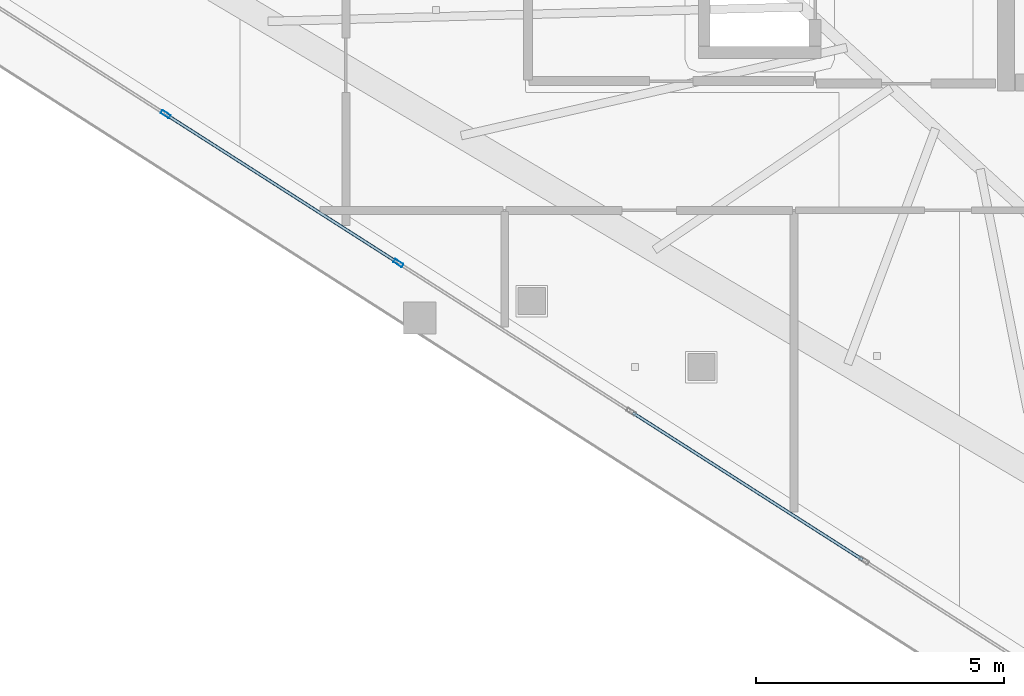
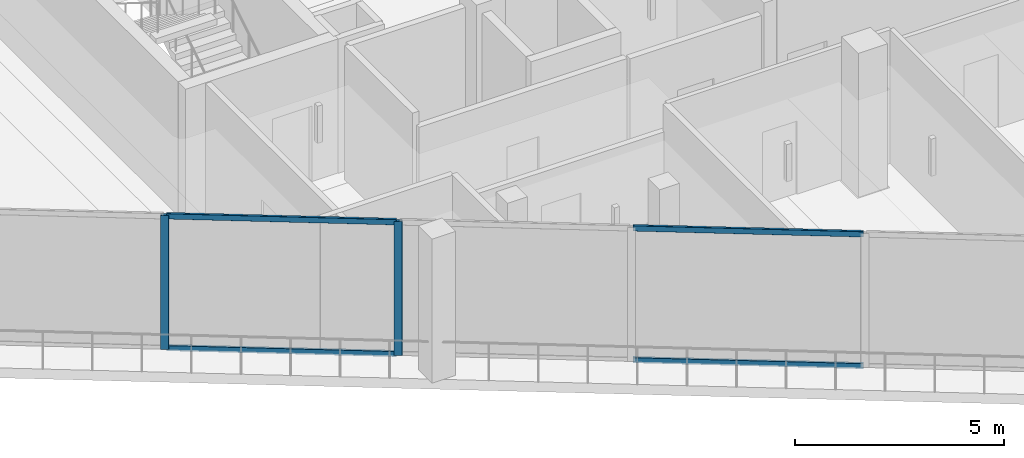
# One storey, part 2 of 36: 6 members, 1 element without a shape of its own.
"""IFC4 building model written with IfcOpenShell, lengths in metres."""

from ifc_helpers import new_model, si_unit, direction, frame, origin, origin_2d, place, context, subcontext, project, spatial, hollow_rectangle, extrude, material, layer, layer_set, material_profile, profile_set, type_object, element, aggregate, save


model = new_model("IFC4")

# Units and contexts
model_context = context("Model", 3, precision=1e-05, world=origin(), true_north=direction((0.0, 1.0)))
body_context = subcontext(model_context, "Body", "Model", "MODEL_VIEW")
ifc_project = project(units=[si_unit("LENGTHUNIT", "METRE"), si_unit("AREAUNIT", "SQUARE_METRE"), si_unit("VOLUMEUNIT", "CUBIC_METRE"), si_unit("PLANEANGLEUNIT", "RADIAN"), si_unit("MASSUNIT", "GRAM", prefix="KILO")], contexts=[model_context])

# Site, building, storey
site_placement = place(None, origin())
site = spatial("IfcSite", under=ifc_project, at=site_placement, CompositionType="ELEMENT")
building_placement = place(site_placement, origin())
building = spatial("IfcBuilding", under=site, at=building_placement, Name="Qorvath Tower", CompositionType="ELEMENT")
storey_placement = place(building_placement, frame((0.0, 0.0, 272.39990234375)))
storey = spatial("IfcBuildingStorey", under=building, at=storey_placement, Name="L63", CompositionType="ELEMENT", Elevation=272.39990234375)

# Curtain wall, members
ifc_material_1 = material(Name="Anodised aluminium and triple low-E glass", Category="aluminium")
ifc_layer = layer(ifc_material_1, 0.179931640625)
ifc_layer_set = layer_set([ifc_layer], Name="CW-SYS-4")
curtain_wall_type = type_object("IfcCurtainWallType", Name="CW-SYS-4", PredefinedType="NOTDEFINED", material=ifc_layer_set)
curtain_wall_placement = place(storey_placement, origin())
curtain_wall = element("IfcCurtainWall", 1, at=curtain_wall_placement, inside=storey, type_object=curtain_wall_type, Name="Curtain Wall CW-4 CW-T-L63-2.1", PredefinedType="NOTDEFINED")
ifc_material_2 = material(Name="Anodised aluminium 6063-T6", Category="aluminium")
ifc_material_profile_1 = material_profile(ifc_material_2, hollow_rectangle(XDim=0.074951171875, YDim=0.199951171875, WallThickness=0.00390625, InnerFilletRadius=0.00390625, OuterFilletRadius=0.008056640625, at=origin_2d()), Name="CWM 200x75")
ifc_profile_set_1 = profile_set([ifc_material_profile_1], Name="Anodised aluminium 6063-T6")
member_type_1 = type_object("IfcMemberType", Name="CWM-200", PredefinedType="MULLION", material=ifc_profile_set_1)
member_1_placement = place(storey_placement, frame((-41.5, -9.017822265625, 0.0), z_axis=(0.0, 0.0, 1.0), x_axis=(0.538533509281, 0.842604094093, 0.0)))
member_1 = element("IfcMember", 2, at=member_1_placement, type_object=member_type_1, Name="CW-4 mullion 3", PredefinedType="MULLION", context=body_context, shape_type="SweptSolid", body=[
    extrude(hollow_rectangle(XDim=0.074951171875, YDim=0.199951171875, WallThickness=0.00390625, InnerFilletRadius=0.00390625, OuterFilletRadius=0.008056640625, at=origin_2d()), origin(), (0.0, 0.0, 1.0), 3.91015625),
])
member_2_placement = place(storey_placement, frame((-36.796630859375, -12.023681640625, 0.0), z_axis=(0.0, 0.0, 1.0), x_axis=(0.538533509281, 0.842604094093, 0.0)))
member_2 = element("IfcMember", 3, at=member_2_placement, type_object=member_type_1, Name="CW-4 mullion 4", PredefinedType="MULLION", context=body_context, shape_type="SweptSolid", body=[
    extrude(hollow_rectangle(XDim=0.074951171875, YDim=0.199951171875, WallThickness=0.00390625, InnerFilletRadius=0.00390625, OuterFilletRadius=0.008056640625, at=origin_2d()), origin(), (0.0, 0.0, 1.0), 3.91015625),
])
ifc_material_3 = material(Name="Anodised aluminium 6063-T6", Category="aluminium")
ifc_material_profile_2 = material_profile(ifc_material_3, hollow_rectangle(XDim=0.06494140625, YDim=0.159912109375, WallThickness=0.00341796875, InnerFilletRadius=0.00341796875, OuterFilletRadius=0.007080078125, at=origin_2d()), Name="CWT 160x65")
ifc_profile_set_2 = profile_set([ifc_material_profile_2], Name="Anodised aluminium 6063-T6")
member_type_2 = type_object("IfcMemberType", Name="CWT-160", PredefinedType="USERDEFINED", material=ifc_profile_set_2)
member_3_placement = place(storey_placement, frame((-41.46826171875, -9.037841796875, 0.032470703125), z_axis=(0.842597346925, -0.538544065935, 0.0), x_axis=(0.538544065935, 0.842597346925, 0.0)))
member_3 = element("IfcMember", 4, at=member_3_placement, type_object=member_type_2, Name="CW-4 transom 3.1", ObjectType="TRANSOM", PredefinedType="USERDEFINED", context=body_context, shape_type="SweptSolid", body=[
    extrude(hollow_rectangle(XDim=0.06494140625, YDim=0.159912109375, WallThickness=0.00341796875, InnerFilletRadius=0.00341796875, OuterFilletRadius=0.007080078125, at=origin_2d()), origin(), (0.0, 0.0, 1.0), 5.506591796875),
])
member_4_placement = place(storey_placement, frame((-41.46826171875, -9.037841796875, 3.877685546875), z_axis=(0.842597346925, -0.538544065935, 0.0), x_axis=(0.538544065935, 0.842597346925, 0.0)))
member_4 = element("IfcMember", 5, at=member_4_placement, type_object=member_type_2, Name="CW-4 transom 3.2", ObjectType="TRANSOM", PredefinedType="USERDEFINED", context=body_context, shape_type="SweptSolid", body=[
    extrude(hollow_rectangle(XDim=0.06494140625, YDim=0.159912109375, WallThickness=0.00341796875, InnerFilletRadius=0.00341796875, OuterFilletRadius=0.007080078125, at=origin_2d()), origin(), (0.0, 0.0, 1.0), 5.506591796875),
])
member_5_placement = place(storey_placement, frame((-32.06201171875, -15.0498046875, 0.032470703125), z_axis=(0.842597346925, -0.538544065935, 0.0), x_axis=(0.538544065935, 0.842597346925, 0.0)))
member_5 = element("IfcMember", 6, at=member_5_placement, type_object=member_type_2, Name="CW-4 transom 5.1", ObjectType="TRANSOM", PredefinedType="USERDEFINED", context=body_context, shape_type="SweptSolid", body=[
    extrude(hollow_rectangle(XDim=0.06494140625, YDim=0.159912109375, WallThickness=0.00341796875, InnerFilletRadius=0.00341796875, OuterFilletRadius=0.007080078125, at=origin_2d()), origin(), (0.0, 0.0, 1.0), 5.506591796875),
])
member_6_placement = place(storey_placement, frame((-32.06201171875, -15.0498046875, 3.877685546875), z_axis=(0.842597346925, -0.538544065935, 0.0), x_axis=(0.538544065935, 0.842597346925, 0.0)))
member_6 = element("IfcMember", 7, at=member_6_placement, type_object=member_type_2, Name="CW-4 transom 5.2", ObjectType="TRANSOM", PredefinedType="USERDEFINED", context=body_context, shape_type="SweptSolid", body=[
    extrude(hollow_rectangle(XDim=0.06494140625, YDim=0.159912109375, WallThickness=0.00341796875, InnerFilletRadius=0.00341796875, OuterFilletRadius=0.007080078125, at=origin_2d()), origin(), (0.0, 0.0, 1.0), 5.506591796875),
])
aggregate(curtain_wall, [member_1, member_2, member_3, member_4, member_5, member_6])

save(model, "model.ifc")
